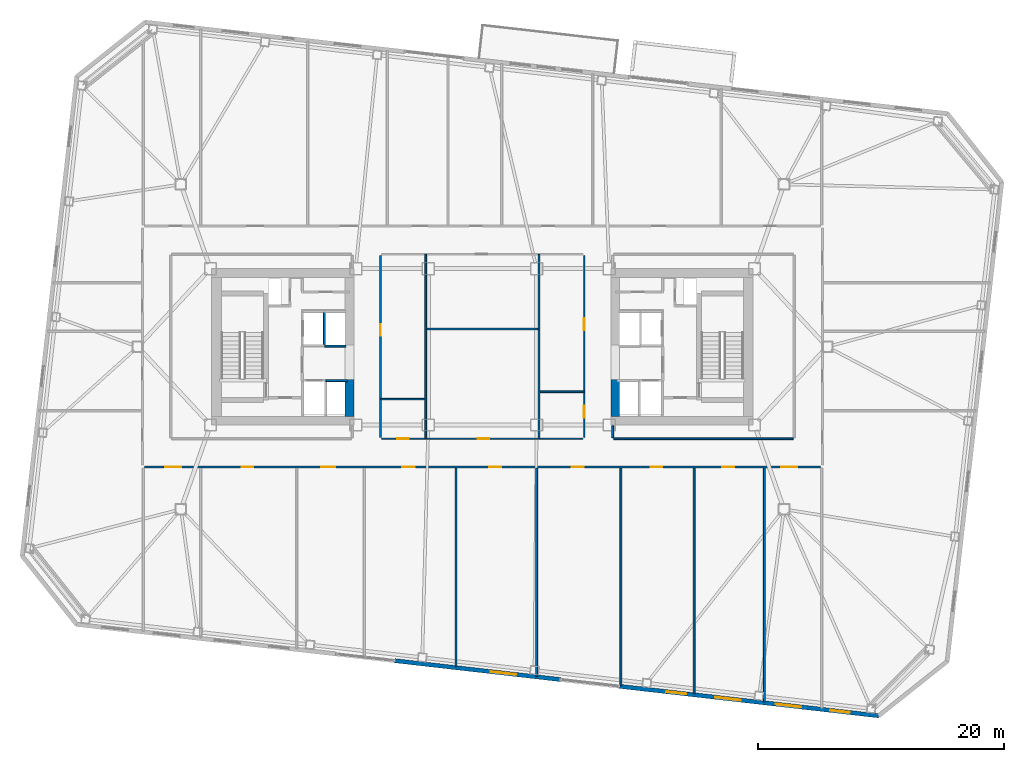
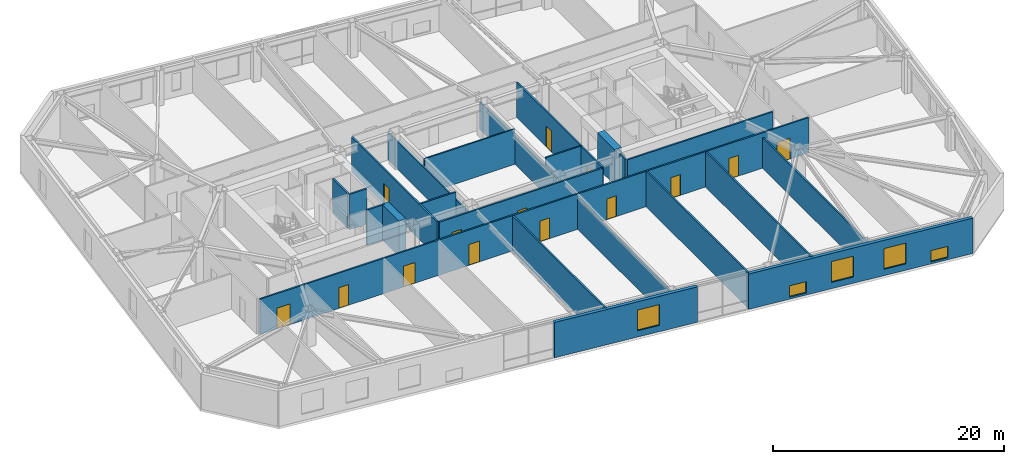
# One storey, part 12 of 21: 23 walls, 14 doors, 5 windows, 19 openings.
"""IFC4 building model written with IfcOpenShell, lengths in metres."""

from ifc_helpers import new_model, si_unit, direction, frame, frame_2d, origin, place, context, subcontext, project, spatial, rectangle, extrude, material, layer, layer_set, type_object, element, fill, save


model = new_model("IFC4")

# Units and contexts
model_context = context("Model", 3, precision=1e-05, world=origin(), true_north=direction((0.0, 1.0)))
body_context = subcontext(model_context, "Body", "Model", "MODEL_VIEW")
ifc_project = project(units=[si_unit("LENGTHUNIT", "METRE"), si_unit("AREAUNIT", "SQUARE_METRE"), si_unit("VOLUMEUNIT", "CUBIC_METRE"), si_unit("PLANEANGLEUNIT", "RADIAN"), si_unit("MASSUNIT", "GRAM", prefix="KILO")], contexts=[model_context])

# Site, building, storey
site_placement = place(None, origin())
site = spatial("IfcSite", under=ifc_project, at=site_placement, CompositionType="ELEMENT")
building_placement = place(site_placement, origin())
building = spatial("IfcBuilding", under=site, at=building_placement, Name="Tavrogorsk Clinical Tower", CompositionType="ELEMENT")
storey_placement = place(building_placement, frame((0.0, 0.0, 125.39990234375)))
storey = spatial("IfcBuildingStorey", under=building, at=storey_placement, Name="L28", CompositionType="ELEMENT", Elevation=125.39990234375)

# Walls
ifc_material_1 = material(Name="Lightweight concrete blockwork B15", Category="masonry")
ifc_layer_1 = layer(ifc_material_1, 0.139892578125)
ifc_layer_set_1 = layer_set([ifc_layer_1], Name="Lightweight concrete blockwork B15")
wall_type_1 = type_object("IfcWallType", Name="PartitionWall_140", PredefinedType="PARTITIONING", material=ifc_layer_set_1)
for number, where, z_axis, x_axis, name in (
    (1, (-4.60009765625, -7.465087890625, 0.0), (0.0, 0.0, 1.0), (0.0, 1.0, 0.0), "L28 Central Spine Partition 1"),
    (2, (4.60009765625, -7.465087890625, 0.0), (0.0, 0.0, 1.0), (0.0, 1.0, 0.0), "L28 Central Spine Partition 2"),
):
    element("IfcWall", number, at=place(storey_placement, frame(where, z_axis=z_axis, x_axis=x_axis)), inside=storey, type_object=wall_type_1, Name=name, PredefinedType="PARTITIONING", context=body_context, shape_type="SweptSolid", body=[
        extrude(rectangle(XDim=14.97998046875, YDim=0.139892578125, at=frame_2d((7.489990234375, 0.0))), origin(), (0.0, 0.0, 1.0), 2.93505859375),
    ])
wall_1_placement = place(storey_placement, frame((-4.52490234375, 1.449951171875, 0.0), z_axis=(0.0, 0.0, 1.0), x_axis=(1.0, 0.0, 0.0)))
element("IfcWall", 3, at=wall_1_placement, inside=storey, type_object=wall_type_1, Name="L28 Central Spine Partition 3", PredefinedType="PARTITIONING", context=body_context, shape_type="SweptSolid", body=[
    extrude(rectangle(XDim=9.0498046875, YDim=0.139892578125, at=frame_2d((4.52490234375, 0.0))), origin(), (0.0, 0.0, 1.0), 3.739990234375),
])
for number, where, z_axis, x_axis, name in (
    (4, (-8.264892578125, -4.25, 0.0), (0.0, 0.0, 1.0), (1.0, 0.0, 0.0), "L28 Central Spine Partition 4"),
    (5, (4.675048828125, -3.64990234375, 0.0), (0.0, 0.0, 1.0), (1.0, 0.0, 0.0), "L28 Central Spine Partition 5"),
):
    element("IfcWall", number, at=place(storey_placement, frame(where, z_axis=z_axis, x_axis=x_axis)), inside=storey, type_object=wall_type_1, Name=name, PredefinedType="PARTITIONING", context=body_context, shape_type="SweptSolid", body=[
        extrude(rectangle(XDim=3.58984375, YDim=0.139892578125, at=frame_2d((1.794921875, 0.0))), origin(), (0.0, 0.0, 1.0), 3.739990234375),
    ])

# Wall, openings, doors
ifc_material_2 = material(Name="Lightweight concrete blockwork B15", Category="masonry")
ifc_layer_2 = layer(ifc_material_2, 0.159912109375)
ifc_layer_set_2 = layer_set([ifc_layer_2], Name="Lightweight concrete blockwork B15")
wall_type_2 = type_object("IfcWallType", Name="PartitionWall_160", PredefinedType="PARTITIONING", material=ifc_layer_set_2)
wall_2_placement = place(storey_placement, frame((27.465087890625, -9.780029296875, 0.0), z_axis=(0.0, 0.0, 1.0), x_axis=(-1.0, 0.0, 0.0)))
wall_2 = element("IfcWall", 6, at=wall_2_placement, inside=storey, type_object=wall_type_2, Name="L28 Corridor Partition 04", PredefinedType="PARTITIONING", context=body_context, shape_type="SweptSolid", body=[
    extrude(rectangle(XDim=54.93017578125, YDim=0.159912109375, at=frame_2d((27.465087890625, 0.0))), origin(), (0.0, 0.0, 1.0), 3.739990234375),
])
opening_1_placement = place(wall_2_placement, frame((51.930908203125, 0.0, 0.0)))
opening_1 = element("IfcOpeningElement", 7, at=opening_1_placement, cuts=wall_2, Name="Opening ID-01", PredefinedType="OPENING", context=body_context, shape_type="SweptSolid", body=[
    extrude(rectangle(XDim=1.300048828125, YDim=2.199951171875, at=frame_2d((0.64990234375, 1.10009765625))), frame((0.0, 0.08984375, 0.0), z_axis=(0.0, -1.0, 0.0), x_axis=(1.0, 0.0, 0.0)), (0.0, 0.0, 1.0), 0.179931640625),
])
opening_2_placement = place(wall_2_placement, frame((46.070068359375, 0.0, 0.0)))
opening_2 = element("IfcOpeningElement", 8, at=opening_2_placement, cuts=wall_2, Name="Opening ID-02", PredefinedType="OPENING", context=body_context, shape_type="SweptSolid", body=[
    extrude(rectangle(XDim=0.949951171875, YDim=2.199951171875, at=frame_2d((0.47509765625, 1.10009765625))), frame((0.0, 0.08984375, 0.0), z_axis=(0.0, -1.0, 0.0), x_axis=(1.0, 0.0, 0.0)), (0.0, 0.0, 1.0), 0.179931640625),
])
opening_3_placement = place(wall_2_placement, frame((39.419921875, 0.0, 0.0)))
opening_3 = element("IfcOpeningElement", 9, at=opening_3_placement, cuts=wall_2, Name="Opening ID-06", PredefinedType="OPENING", context=body_context, shape_type="SweptSolid", body=[
    extrude(rectangle(XDim=1.14990234375, YDim=2.199951171875, at=frame_2d((0.574951171875, 1.10009765625))), frame((0.0, 0.08984375, 0.0), z_axis=(0.0, -1.0, 0.0), x_axis=(1.0, 0.0, 0.0)), (0.0, 0.0, 1.0), 0.179931640625),
])
opening_4_placement = place(wall_2_placement, frame((32.949951171875, 0.0, 0.0)))
opening_4 = element("IfcOpeningElement", 10, at=opening_4_placement, cuts=wall_2, Name="Opening ID-04", PredefinedType="OPENING", context=body_context, shape_type="SweptSolid", body=[
    extrude(rectangle(XDim=1.050048828125, YDim=2.199951171875, at=frame_2d((0.52490234375, 1.10009765625))), frame((0.0, 0.08984375, 0.0), z_axis=(0.0, -1.0, 0.0), x_axis=(1.0, 0.0, 0.0)), (0.0, 0.0, 1.0), 0.179931640625),
])
opening_5_placement = place(wall_2_placement, frame((25.949951171875, 0.0, 0.0)))
opening_5 = element("IfcOpeningElement", 11, at=opening_5_placement, cuts=wall_2, Name="Opening ID-02", PredefinedType="OPENING", context=body_context, shape_type="SweptSolid", body=[
    extrude(rectangle(XDim=0.949951171875, YDim=2.199951171875, at=frame_2d((0.47509765625, 1.10009765625))), frame((0.0, 0.08984375, 0.0), z_axis=(0.0, -1.0, 0.0), x_axis=(1.0, 0.0, 0.0)), (0.0, 0.0, 1.0), 0.179931640625),
])
opening_6_placement = place(wall_2_placement, frame((19.25, 0.0, 0.0)))
opening_6 = element("IfcOpeningElement", 12, at=opening_6_placement, cuts=wall_2, Name="Opening ID-02", PredefinedType="OPENING", context=body_context, shape_type="SweptSolid", body=[
    extrude(rectangle(XDim=0.949951171875, YDim=2.199951171875, at=frame_2d((0.47509765625, 1.10009765625))), frame((0.0, 0.08984375, 0.0), z_axis=(0.0, -1.0, 0.0), x_axis=(1.0, 0.0, 0.0)), (0.0, 0.0, 1.0), 0.179931640625),
])
opening_7_placement = place(wall_2_placement, frame((12.85009765625, 0.0, 0.0)))
opening_7 = element("IfcOpeningElement", 13, at=opening_7_placement, cuts=wall_2, Name="Opening ID-02", PredefinedType="OPENING", context=body_context, shape_type="SweptSolid", body=[
    extrude(rectangle(XDim=0.949951171875, YDim=2.199951171875, at=frame_2d((0.47509765625, 1.10009765625))), frame((0.0, 0.08984375, 0.0), z_axis=(0.0, -1.0, 0.0), x_axis=(1.0, 0.0, 0.0)), (0.0, 0.0, 1.0), 0.179931640625),
])
opening_8_placement = place(wall_2_placement, frame((7.02490234375, 0.0, 0.0)))
opening_8 = element("IfcOpeningElement", 14, at=opening_8_placement, cuts=wall_2, Name="Opening ID-02", PredefinedType="OPENING", context=body_context, shape_type="SweptSolid", body=[
    extrude(rectangle(XDim=0.949951171875, YDim=2.199951171875, at=frame_2d((0.47509765625, 1.10009765625))), frame((0.0, 0.08984375, 0.0), z_axis=(0.0, -1.0, 0.0), x_axis=(1.0, 0.0, 0.0)), (0.0, 0.0, 1.0), 0.179931640625),
])
opening_9_placement = place(wall_2_placement, frame((1.869140625, 0.0, 0.0)))
opening_9 = element("IfcOpeningElement", 15, at=opening_9_placement, cuts=wall_2, Name="Opening ID-01", PredefinedType="OPENING", context=body_context, shape_type="SweptSolid", body=[
    extrude(rectangle(XDim=1.300048828125, YDim=2.199951171875, at=frame_2d((0.64990234375, 1.10009765625))), frame((0.0, 0.08984375, 0.0), z_axis=(0.0, -1.0, 0.0), x_axis=(1.0, 0.0, 0.0)), (0.0, 0.0, 1.0), 0.179931640625),
])
ifc_material_3 = material(Name="Antibacterial HPL consultation door on aluminium frame", Category="aluminium")
door_type_1 = type_object("IfcDoorType", Name="ConsultDoor_ID04_1050", OperationType="NOTDEFINED", PredefinedType="DOOR", material=ifc_material_3)
door_1_placement = place(opening_4_placement, origin())
door_1 = element("IfcDoor", 16, at=door_1_placement, inside=storey, type_object=door_type_1, Name="L28 South Outpatient Procedure Suite 03A Door", OperationType="SINGLE_SWING_RIGHT", OverallHeight=2.199951171875, OverallWidth=1.050048828125, PredefinedType="DOOR", context=body_context, shape_type="SweptSolid", body=[
    extrude(rectangle(XDim=1.050048828125, YDim=2.199951171875, at=frame_2d((0.52490234375, 1.10009765625))), frame((0.0, 0.02490234375, 0.0), z_axis=(0.0, -1.0, 0.0), x_axis=(1.0, 0.0, 0.0)), (0.0, 0.0, 1.0), 0.050048828125),
])
fill(opening_4, door_1)
ifc_material_4 = material(Name="Laminated timber leaf on aluminium frame", Category="wood")
door_type_2 = type_object("IfcDoorType", Name="InteriorDoor_ID02_950", OperationType="NOTDEFINED", PredefinedType="DOOR", material=ifc_material_4)
door_2_placement = place(opening_2_placement, origin())
door_2 = element("IfcDoor", 17, at=door_2_placement, inside=storey, type_object=door_type_2, Name="L28 South Clean Medication & Prep Room 02A Door", OperationType="SINGLE_SWING_RIGHT", OverallHeight=2.199951171875, OverallWidth=0.949951171875, PredefinedType="DOOR", context=body_context, shape_type="SweptSolid", body=[
    extrude(rectangle(XDim=0.949951171875, YDim=2.199951171875, at=frame_2d((0.47509765625, 1.10009765625))), frame((0.0, 0.02490234375, 0.0), z_axis=(0.0, -1.0, 0.0), x_axis=(1.0, 0.0, 0.0)), (0.0, 0.0, 1.0), 0.050048828125),
])
fill(opening_2, door_2)
door_3_placement = place(opening_5_placement, origin())
door_3 = element("IfcDoor", 18, at=door_3_placement, inside=storey, type_object=door_type_2, Name="L28 South Clinical Case Seminar Room 03B Door", OperationType="SINGLE_SWING_LEFT", OverallHeight=2.199951171875, OverallWidth=0.949951171875, PredefinedType="DOOR", context=body_context, shape_type="SweptSolid", body=[
    extrude(rectangle(XDim=0.949951171875, YDim=2.199951171875, at=frame_2d((0.47509765625, 1.10009765625))), frame((0.0, 0.02490234375, 0.0), z_axis=(0.0, -1.0, 0.0), x_axis=(1.0, 0.0, 0.0)), (0.0, 0.0, 1.0), 0.050048828125),
])
fill(opening_5, door_3)
door_4_placement = place(opening_6_placement, origin())
door_4 = element("IfcDoor", 19, at=door_4_placement, inside=storey, type_object=door_type_2, Name="L28 South Cardiology Diagnostics Room 04A Door", OperationType="SINGLE_SWING_RIGHT", OverallHeight=2.199951171875, OverallWidth=0.949951171875, PredefinedType="DOOR", context=body_context, shape_type="SweptSolid", body=[
    extrude(rectangle(XDim=0.949951171875, YDim=2.199951171875, at=frame_2d((0.47509765625, 1.10009765625))), frame((0.0, 0.02490234375, 0.0), z_axis=(0.0, -1.0, 0.0), x_axis=(1.0, 0.0, 0.0)), (0.0, 0.0, 1.0), 0.050048828125),
])
fill(opening_6, door_4)
door_5_placement = place(opening_7_placement, origin())
door_5 = element("IfcDoor", 20, at=door_5_placement, inside=storey, type_object=door_type_2, Name="L28 South Staff Rest & Nourishment Lounge 04B Door", OperationType="SINGLE_SWING_LEFT", OverallHeight=2.199951171875, OverallWidth=0.949951171875, PredefinedType="DOOR", context=body_context, shape_type="SweptSolid", body=[
    extrude(rectangle(XDim=0.949951171875, YDim=2.199951171875, at=frame_2d((0.47509765625, 1.10009765625))), frame((0.0, 0.02490234375, 0.0), z_axis=(0.0, -1.0, 0.0), x_axis=(1.0, 0.0, 0.0)), (0.0, 0.0, 1.0), 0.050048828125),
])
fill(opening_7, door_5)
door_6_placement = place(opening_8_placement, origin())
door_6 = element("IfcDoor", 21, at=door_6_placement, inside=storey, type_object=door_type_2, Name="L28 South Attending Physician Office 05 Door", OperationType="SINGLE_SWING_RIGHT", OverallHeight=2.199951171875, OverallWidth=0.949951171875, PredefinedType="DOOR", context=body_context, shape_type="SweptSolid", body=[
    extrude(rectangle(XDim=0.949951171875, YDim=2.199951171875, at=frame_2d((0.47509765625, 1.10009765625))), frame((0.0, 0.02490234375, 0.0), z_axis=(0.0, -1.0, 0.0), x_axis=(1.0, 0.0, 0.0)), (0.0, 0.0, 1.0), 0.050048828125),
])
fill(opening_8, door_6)
ifc_material_5 = material(Name="Antibacterial HPL procedure door on aluminium frame", Category="aluminium")
door_type_3 = type_object("IfcDoorType", Name="LabDoor_ID06_1150", OperationType="NOTDEFINED", PredefinedType="DOOR", material=ifc_material_5)
door_7_placement = place(opening_3_placement, origin())
door_7 = element("IfcDoor", 22, at=door_7_placement, inside=storey, type_object=door_type_3, Name="L28 South Soiled Utility & Sluice Room 02B Door", OperationType="SINGLE_SWING_LEFT", OverallHeight=2.199951171875, OverallWidth=1.14990234375, PredefinedType="DOOR", context=body_context, shape_type="SweptSolid", body=[
    extrude(rectangle(XDim=1.14990234375, YDim=2.199951171875, at=frame_2d((0.574951171875, 1.10009765625))), frame((0.0, 0.02490234375, 0.0), z_axis=(0.0, -1.0, 0.0), x_axis=(1.0, 0.0, 0.0)), (0.0, 0.0, 1.0), 0.050048828125),
])
fill(opening_3, door_7)
ifc_material_6 = material(Name="Antibacterial HPL medical leaf on aluminium frame", Category="aluminium")
door_type_4 = type_object("IfcDoorType", Name="WardBedDoor_ID01_1300", OperationType="NOTDEFINED", PredefinedType="DOOR", material=ifc_material_6)
door_8_placement = place(opening_1_placement, origin())
door_8 = element("IfcDoor", 23, at=door_8_placement, inside=storey, type_object=door_type_4, Name="L28 South Acute Medical Ward 01 Door", OperationType="SINGLE_SWING_LEFT", OverallHeight=2.199951171875, OverallWidth=1.300048828125, PredefinedType="DOOR", context=body_context, shape_type="SweptSolid", body=[
    extrude(rectangle(XDim=1.300048828125, YDim=2.199951171875, at=frame_2d((0.64990234375, 1.10009765625))), frame((0.0, 0.02490234375, 0.0), z_axis=(0.0, -1.0, 0.0), x_axis=(1.0, 0.0, 0.0)), (0.0, 0.0, 1.0), 0.050048828125),
])
fill(opening_1, door_8)
door_9_placement = place(opening_9_placement, origin())
door_9 = element("IfcDoor", 24, at=door_9_placement, inside=storey, type_object=door_type_4, Name="L28 South Acute Medical Ward 06 Door", OperationType="SINGLE_SWING_LEFT", OverallHeight=2.199951171875, OverallWidth=1.300048828125, PredefinedType="DOOR", context=body_context, shape_type="SweptSolid", body=[
    extrude(rectangle(XDim=1.300048828125, YDim=2.199951171875, at=frame_2d((0.64990234375, 1.10009765625))), frame((0.0, 0.02490234375, 0.0), z_axis=(0.0, -1.0, 0.0), x_axis=(1.0, 0.0, 0.0)), (0.0, 0.0, 1.0), 0.050048828125),
])
fill(opening_9, door_9)

# Walls
wall_3_placement = place(storey_placement, frame((10.580078125, -6.419921875, 0.0), z_axis=(0.0, 0.0, 1.0), x_axis=(0.0, -1.0, 0.0)))
element("IfcWall", 25, at=wall_3_placement, inside=storey, type_object=wall_type_2, Name="L28 Corridor Partition 07", PredefinedType="PARTITIONING", context=body_context, shape_type="SweptSolid", body=[
    extrude(rectangle(XDim=0.965087890625, YDim=0.159912109375, at=frame_2d((0.482421875, 0.0))), origin(), (0.0, 0.0, 1.0), 3.739990234375),
])
wall_4_placement = place(storey_placement, frame((10.6650390625, -7.469970703125, 0.0), z_axis=(0.0, 0.0, 1.0), x_axis=(1.0, 0.0, 0.0)))
element("IfcWall", 26, at=wall_4_placement, inside=storey, type_object=wall_type_2, Name="L28 Corridor Partition 08", PredefinedType="PARTITIONING", context=body_context, shape_type="SweptSolid", body=[
    extrude(rectangle(XDim=14.570068359375, YDim=0.159912109375, at=frame_2d((7.28515625, 0.0))), origin(), (0.0, 0.0, 1.0), 3.739990234375),
])

# Wall, openings, doors
wall_5_placement = place(storey_placement, frame((8.27001953125, -7.385009765625, 0.0), z_axis=(0.0, 0.0, 1.0), x_axis=(0.0, 1.0, 0.0)))
wall_5 = element("IfcWall", 27, at=wall_5_placement, inside=storey, type_object=wall_type_2, Name="L28 Corridor Partition 10", PredefinedType="PARTITIONING", context=body_context, shape_type="SweptSolid", body=[
    extrude(rectangle(XDim=14.820068359375, YDim=0.159912109375, at=frame_2d((7.41015625, 0.0))), origin(), (0.0, 0.0, 1.0), 3.739990234375),
])
opening_10_placement = place(wall_5_placement, frame((1.629150390625, 0.0, 0.0)))
opening_10 = element("IfcOpeningElement", 28, at=opening_10_placement, cuts=wall_5, Name="Opening ID-02", PredefinedType="OPENING", context=body_context, shape_type="SweptSolid", body=[
    extrude(rectangle(XDim=0.949951171875, YDim=2.199951171875, at=frame_2d((0.47509765625, 1.10009765625))), frame((0.0, 0.08984375, 0.0), z_axis=(0.0, -1.0, 0.0), x_axis=(1.0, 0.0, 0.0)), (0.0, 0.0, 1.0), 0.179931640625),
])
opening_11_placement = place(wall_5_placement, frame((8.73583984375, 0.0, 0.0)))
opening_11 = element("IfcOpeningElement", 29, at=opening_11_placement, cuts=wall_5, Name="Opening ID-02", PredefinedType="OPENING", context=body_context, shape_type="SweptSolid", body=[
    extrude(rectangle(XDim=0.949951171875, YDim=2.199951171875, at=frame_2d((0.47509765625, 1.10009765625))), frame((0.0, 0.08984375, 0.0), z_axis=(0.0, -1.0, 0.0), x_axis=(1.0, 0.0, 0.0)), (0.0, 0.0, 1.0), 0.179931640625),
])
door_10_placement = place(opening_10_placement, origin())
door_10 = element("IfcDoor", 30, at=door_10_placement, inside=storey, type_object=door_type_2, Name="L28 Staff & Visitor Accessible WC Door", OperationType="SINGLE_SWING_RIGHT", OverallHeight=2.199951171875, OverallWidth=0.949951171875, PredefinedType="DOOR", context=body_context, shape_type="SweptSolid", body=[
    extrude(rectangle(XDim=0.949951171875, YDim=2.199951171875, at=frame_2d((0.47509765625, 1.10009765625))), frame((0.0, 0.02490234375, 0.0), z_axis=(0.0, -1.0, 0.0), x_axis=(1.0, 0.0, 0.0)), (0.0, 0.0, 1.0), 0.050048828125),
])
fill(opening_10, door_10)
door_11_placement = place(opening_11_placement, origin())
door_11 = element("IfcDoor", 31, at=door_11_placement, inside=storey, type_object=door_type_2, Name="L28 Attending Physician Office Door", OperationType="SINGLE_SWING_LEFT", OverallHeight=2.199951171875, OverallWidth=0.949951171875, PredefinedType="DOOR", context=body_context, shape_type="SweptSolid", body=[
    extrude(rectangle(XDim=0.949951171875, YDim=2.199951171875, at=frame_2d((0.47509765625, 1.10009765625))), frame((0.0, 0.02490234375, 0.0), z_axis=(0.0, -1.0, 0.0), x_axis=(1.0, 0.0, 0.0)), (0.0, 0.0, 1.0), 0.050048828125),
])
fill(opening_11, door_11)

# Wall, opening, door
wall_6_placement = place(storey_placement, frame((-8.27001953125, 7.43505859375, 0.0), z_axis=(0.0, 0.0, 1.0), x_axis=(0.0, -1.0, 0.0)))
wall_6 = element("IfcWall", 32, at=wall_6_placement, inside=storey, type_object=wall_type_2, Name="L28 Corridor Partition 12", PredefinedType="PARTITIONING", context=body_context, shape_type="SweptSolid", body=[
    extrude(rectangle(XDim=14.820068359375, YDim=0.159912109375, at=frame_2d((7.41015625, 0.0))), origin(), (0.0, 0.0, 1.0), 3.739990234375),
])
opening_12_placement = place(wall_6_placement, frame((5.60400390625, 0.0, 0.0)))
opening_12 = element("IfcOpeningElement", 33, at=opening_12_placement, cuts=wall_6, Name="Opening ID-02", PredefinedType="OPENING", context=body_context, shape_type="SweptSolid", body=[
    extrude(rectangle(XDim=0.949951171875, YDim=2.199951171875, at=frame_2d((0.47509765625, 1.10009765625))), frame((0.0, 0.08984375, 0.0), z_axis=(0.0, -1.0, 0.0), x_axis=(1.0, 0.0, 0.0)), (0.0, 0.0, 1.0), 0.179931640625),
])
door_12_placement = place(opening_12_placement, origin())
door_12 = element("IfcDoor", 34, at=door_12_placement, inside=storey, type_object=door_type_2, Name="L28 Ward Nourishment Pantry Door", OperationType="SINGLE_SWING_LEFT", OverallHeight=2.199951171875, OverallWidth=0.949951171875, PredefinedType="DOOR", context=body_context, shape_type="SweptSolid", body=[
    extrude(rectangle(XDim=0.949951171875, YDim=2.199951171875, at=frame_2d((0.47509765625, 1.10009765625))), frame((0.0, 0.02490234375, 0.0), z_axis=(0.0, -1.0, 0.0), x_axis=(1.0, 0.0, 0.0)), (0.0, 0.0, 1.0), 0.050048828125),
])
fill(opening_12, door_12)

# Wall, openings, doors
wall_7_placement = place(storey_placement, frame((-8.18505859375, -7.469970703125, 0.0), z_axis=(0.0, 0.0, 1.0), x_axis=(1.0, 0.0, 0.0)))
wall_7 = element("IfcWall", 35, at=wall_7_placement, inside=storey, type_object=wall_type_2, Name="L28 Corridor Partition 13", PredefinedType="PARTITIONING", context=body_context, shape_type="SweptSolid", body=[
    extrude(rectangle(XDim=16.3701171875, YDim=0.159912109375, at=frame_2d((8.18505859375, 0.0))), origin(), (0.0, 0.0, 1.0), 3.739990234375),
])
opening_13_placement = place(wall_7_placement, frame((1.254150390625, 0.0, 0.0)))
opening_13 = element("IfcOpeningElement", 36, at=opening_13_placement, cuts=wall_7, Name="Opening ID-02", PredefinedType="OPENING", context=body_context, shape_type="SweptSolid", body=[
    extrude(rectangle(XDim=0.949951171875, YDim=2.199951171875, at=frame_2d((0.47509765625, 1.10009765625))), frame((0.0, 0.08984375, 0.0), z_axis=(0.0, -1.0, 0.0), x_axis=(1.0, 0.0, 0.0)), (0.0, 0.0, 1.0), 0.179931640625),
])
opening_14_placement = place(wall_7_placement, frame((7.794921875, 0.0, 0.0)))
opening_14 = element("IfcOpeningElement", 37, at=opening_14_placement, cuts=wall_7, Name="Opening ID-02", PredefinedType="OPENING", context=body_context, shape_type="SweptSolid", body=[
    extrude(rectangle(XDim=0.949951171875, YDim=2.199951171875, at=frame_2d((0.47509765625, 1.10009765625))), frame((0.0, 0.08984375, 0.0), z_axis=(0.0, -1.0, 0.0), x_axis=(1.0, 0.0, 0.0)), (0.0, 0.0, 1.0), 0.179931640625),
])
door_13_placement = place(opening_13_placement, origin())
door_13 = element("IfcDoor", 38, at=door_13_placement, inside=storey, type_object=door_type_2, Name="L28 Accessible Patient Lavatory Door", OperationType="SINGLE_SWING_RIGHT", OverallHeight=2.199951171875, OverallWidth=0.949951171875, PredefinedType="DOOR", context=body_context, shape_type="SweptSolid", body=[
    extrude(rectangle(XDim=0.949951171875, YDim=2.199951171875, at=frame_2d((0.47509765625, 1.10009765625))), frame((0.0, 0.02490234375, 0.0), z_axis=(0.0, -1.0, 0.0), x_axis=(1.0, 0.0, 0.0)), (0.0, 0.0, 1.0), 0.050048828125),
])
fill(opening_13, door_13)
door_14_placement = place(opening_14_placement, origin())
door_14 = element("IfcDoor", 39, at=door_14_placement, inside=storey, type_object=door_type_2, Name="L28 Multidisciplinary Conference Room Door", OperationType="SINGLE_SWING_RIGHT", OverallHeight=2.199951171875, OverallWidth=0.949951171875, PredefinedType="DOOR", context=body_context, shape_type="SweptSolid", body=[
    extrude(rectangle(XDim=0.949951171875, YDim=2.199951171875, at=frame_2d((0.47509765625, 1.10009765625))), frame((0.0, 0.02490234375, 0.0), z_axis=(0.0, -1.0, 0.0), x_axis=(1.0, 0.0, 0.0)), (0.0, 0.0, 1.0), 0.050048828125),
])
fill(opening_14, door_14)

# Walls
wall_8_placement = place(storey_placement, frame((4.39990234375, -26.746826171875, 0.0), z_axis=(0.0, 0.0, 1.0), x_axis=(0.0, 1.0, 0.0)))
element("IfcWall", 40, at=wall_8_placement, inside=storey, type_object=wall_type_2, Name="L28 South Room Partition 3", PredefinedType="PARTITIONING", context=body_context, shape_type="SweptSolid", body=[
    extrude(rectangle(XDim=16.8818359375, YDim=0.159912109375, at=frame_2d((8.44091796875, 0.0))), origin(), (0.0, 0.0, 1.0), 3.235107421875),
])
wall_9_placement = place(storey_placement, frame((17.199951171875, -28.205078125, 0.0), z_axis=(0.0, 0.0, 1.0), x_axis=(0.0, 1.0, 0.0)))
element("IfcWall", 41, at=wall_9_placement, inside=storey, type_object=wall_type_2, Name="L28 South Room Partition 4", PredefinedType="PARTITIONING", context=body_context, shape_type="SweptSolid", body=[
    extrude(rectangle(XDim=18.340087890625, YDim=0.159912109375, at=frame_2d((9.169921875, 0.0))), origin(), (0.0, 0.0, 1.0), 3.739990234375),
])
wall_10_placement = place(storey_placement, frame((22.89990234375, -28.8544921875, 0.0), z_axis=(0.0, 0.0, 1.0), x_axis=(0.0, 1.0, 0.0)))
element("IfcWall", 42, at=wall_10_placement, inside=storey, type_object=wall_type_2, Name="L28 South Room Partition 5", PredefinedType="PARTITIONING", context=body_context, shape_type="SweptSolid", body=[
    extrude(rectangle(XDim=18.989501953125, YDim=0.159912109375, at=frame_2d((9.49462890625, 0.0))), origin(), (0.0, 0.0, 1.0), 3.235107421875),
])
wall_11_placement = place(storey_placement, frame((-2.14990234375, -26.00048828125, 0.0), z_axis=(0.0, 0.0, 1.0), x_axis=(0.0, 1.0, 0.0)))
element("IfcWall", 43, at=wall_11_placement, inside=storey, type_object=wall_type_2, Name="L28 South Sub-Partition 3", PredefinedType="PARTITIONING", context=body_context, shape_type="SweptSolid", body=[
    extrude(rectangle(XDim=16.135498046875, YDim=0.159912109375, at=frame_2d((8.06787109375, 0.0))), origin(), (0.0, 0.0, 1.0), 3.739990234375),
])
wall_12_placement = place(storey_placement, frame((11.25, -27.527099609375, 0.0), z_axis=(0.0, 0.0, 1.0), x_axis=(0.0, 1.0, 0.0)))
element("IfcWall", 44, at=wall_12_placement, inside=storey, type_object=wall_type_2, Name="L28 South Sub-Partition 4", PredefinedType="PARTITIONING", context=body_context, shape_type="SweptSolid", body=[
    extrude(rectangle(XDim=17.662109375, YDim=0.159912109375, at=frame_2d((8.8310546875, 0.0))), origin(), (0.0, 0.0, 1.0), 3.739990234375),
])

# Wall, opening, window
ifc_material_7 = material(Name="Precast concrete B45 with limestone cladding", Category="masonry")
ifc_layer_3 = layer(ifc_material_7, 0.340087890625)
ifc_layer_set_3 = layer_set([ifc_layer_3], Name="Precast concrete B45 with limestone cladding")
wall_type_3 = type_object("IfcWallType", Name="PrecastLimestoneWall_340", PredefinedType="STANDARD", material=ifc_layer_set_3)
wall_13_placement = place(storey_placement, frame((-7.121826171875, -25.50439453125, 0.0), z_axis=(0.0, 0.0, 1.0), x_axis=(0.993571685551, -0.11320470693, 0.0)))
wall_13 = element("IfcWall", 45, at=wall_13_placement, inside=storey, type_object=wall_type_3, Name="L28 S Limestone Facade Wall 2", PredefinedType="STANDARD", context=body_context, shape_type="SweptSolid", body=[
    extrude(rectangle(XDim=13.554443359375, YDim=0.340087890625, at=frame_2d((6.77734375, 0.0))), origin(), (0.0, 0.0, 1.0), 3.739990234375),
])
opening_15_placement = place(wall_13_placement, frame((7.837890625, 0.0, 0.669921875)))
opening_15 = element("IfcOpeningElement", 46, at=opening_15_placement, cuts=wall_13, Name="Opening WN-03", PredefinedType="OPENING", context=body_context, shape_type="SweptSolid", body=[
    extrude(rectangle(XDim=2.10009765625, YDim=2.199951171875, at=frame_2d((1.050048828125, 1.10009765625))), frame((0.0, 0.179931640625, 0.0), z_axis=(0.0, -1.0, 0.0), x_axis=(1.0, 0.0, 0.0)), (0.0, 0.0, 1.0), 0.360107421875),
])
ifc_material_8 = material(Name="Thermally broken aluminium frame and triple IGU", Category="aluminium")
window_type_1 = type_object("IfcWindowType", Name="PatientTwinWin_2100x2200", PartitioningType="DOUBLE_PANEL_VERTICAL", PredefinedType="WINDOW", material=ifc_material_8)
window_1_placement = place(opening_15_placement, origin())
window_1 = element("IfcWindow", 47, at=window_1_placement, inside=storey, type_object=window_type_1, Name="L28 S Chicago Window 06", OverallHeight=2.199951171875, OverallWidth=2.10009765625, PartitioningType="SINGLE_PANEL", PredefinedType="WINDOW", context=body_context, shape_type="SweptSolid", body=[
    extrude(rectangle(XDim=2.10009765625, YDim=2.199951171875, at=frame_2d((1.050048828125, 1.10009765625))), frame((0.0, 0.030029296875, 0.0), z_axis=(0.0, -1.0, 0.0), x_axis=(1.0, 0.0, 0.0)), (0.0, 0.0, 1.0), 0.06005859375),
])
fill(opening_15, window_1)

# Wall, openings, windows
wall_14_placement = place(storey_placement, frame((11.114501953125, -27.582275390625, 0.0), z_axis=(0.0, 0.0, 1.0), x_axis=(0.993572655904, -0.113196190044, 0.0)))
wall_14 = element("IfcWall", 48, at=wall_14_placement, inside=storey, type_object=wall_type_3, Name="L28 S Limestone Facade Wall 3", PredefinedType="STANDARD", context=body_context, shape_type="SweptSolid", body=[
    extrude(rectangle(XDim=21.222900390625, YDim=0.340087890625, at=frame_2d((10.611328125, 0.0))), origin(), (0.0, 0.0, 1.0), 3.739990234375),
])
opening_16_placement = place(wall_14_placement, frame((3.866455078125, 0.0, 0.219970703125)))
opening_16 = element("IfcOpeningElement", 49, at=opening_16_placement, cuts=wall_14, Name="Opening WN-09", PredefinedType="OPENING", context=body_context, shape_type="SweptSolid", body=[
    extrude(rectangle(XDim=1.60009765625, YDim=1.199951171875, at=frame_2d((0.800048828125, 0.60009765625))), frame((0.0, 0.179931640625, 0.0), z_axis=(0.0, -1.0, 0.0), x_axis=(1.0, 0.0, 0.0)), (0.0, 0.0, 1.0), 0.360107421875),
])
opening_17_placement = place(wall_14_placement, frame((7.837890625, 0.0, 0.669921875)))
opening_17 = element("IfcOpeningElement", 50, at=opening_17_placement, cuts=wall_14, Name="Opening WN-03", PredefinedType="OPENING", context=body_context, shape_type="SweptSolid", body=[
    extrude(rectangle(XDim=2.10009765625, YDim=2.199951171875, at=frame_2d((1.050048828125, 1.10009765625))), frame((0.0, 0.179931640625, 0.0), z_axis=(0.0, -1.0, 0.0), x_axis=(1.0, 0.0, 0.0)), (0.0, 0.0, 1.0), 0.360107421875),
])
opening_18_placement = place(wall_14_placement, frame((12.793701171875, 0.0, 0.669921875)))
opening_18 = element("IfcOpeningElement", 51, at=opening_18_placement, cuts=wall_14, Name="Opening WN-03", PredefinedType="OPENING", context=body_context, shape_type="SweptSolid", body=[
    extrude(rectangle(XDim=2.10009765625, YDim=2.199951171875, at=frame_2d((1.050048828125, 1.10009765625))), frame((0.0, 0.179931640625, 0.0), z_axis=(0.0, -1.0, 0.0), x_axis=(1.0, 0.0, 0.0)), (0.0, 0.0, 1.0), 0.360107421875),
])
opening_19_placement = place(wall_14_placement, frame((17.264892578125, 0.0, 0.219970703125)))
opening_19 = element("IfcOpeningElement", 52, at=opening_19_placement, cuts=wall_14, Name="Opening WN-09", PredefinedType="OPENING", context=body_context, shape_type="SweptSolid", body=[
    extrude(rectangle(XDim=1.60009765625, YDim=1.199951171875, at=frame_2d((0.800048828125, 0.60009765625))), frame((0.0, 0.179931640625, 0.0), z_axis=(0.0, -1.0, 0.0), x_axis=(1.0, 0.0, 0.0)), (0.0, 0.0, 1.0), 0.360107421875),
])
ifc_material_9 = material(Name="Thermally broken aluminium frame and triple IGU", Category="aluminium")
window_type_2 = type_object("IfcWindowType", Name="LowHeadTransWin_1600x1200", PartitioningType="DOUBLE_PANEL_VERTICAL", PredefinedType="WINDOW", material=ifc_material_9)
window_2_placement = place(opening_16_placement, origin())
window_2 = element("IfcWindow", 53, at=window_2_placement, inside=storey, type_object=window_type_2, Name="L28 S Chicago Window 07", OverallHeight=1.199951171875, OverallWidth=1.60009765625, PartitioningType="SINGLE_PANEL", PredefinedType="WINDOW", context=body_context, shape_type="SweptSolid", body=[
    extrude(rectangle(XDim=1.60009765625, YDim=1.199951171875, at=frame_2d((0.800048828125, 0.60009765625))), frame((0.0, 0.030029296875, 0.0), z_axis=(0.0, -1.0, 0.0), x_axis=(1.0, 0.0, 0.0)), (0.0, 0.0, 1.0), 0.06005859375),
])
fill(opening_16, window_2)
window_3_placement = place(opening_19_placement, origin())
window_3 = element("IfcWindow", 54, at=window_3_placement, inside=storey, type_object=window_type_2, Name="L28 S Chicago Window 10", OverallHeight=1.199951171875, OverallWidth=1.60009765625, PartitioningType="SINGLE_PANEL", PredefinedType="WINDOW", context=body_context, shape_type="SweptSolid", body=[
    extrude(rectangle(XDim=1.60009765625, YDim=1.199951171875, at=frame_2d((0.800048828125, 0.60009765625))), frame((0.0, 0.030029296875, 0.0), z_axis=(0.0, -1.0, 0.0), x_axis=(1.0, 0.0, 0.0)), (0.0, 0.0, 1.0), 0.06005859375),
])
fill(opening_19, window_3)
window_4_placement = place(opening_17_placement, origin())
window_4 = element("IfcWindow", 55, at=window_4_placement, inside=storey, type_object=window_type_1, Name="L28 S Chicago Window 08", OverallHeight=2.199951171875, OverallWidth=2.10009765625, PartitioningType="SINGLE_PANEL", PredefinedType="WINDOW", context=body_context, shape_type="SweptSolid", body=[
    extrude(rectangle(XDim=2.10009765625, YDim=2.199951171875, at=frame_2d((1.050048828125, 1.10009765625))), frame((0.0, 0.030029296875, 0.0), z_axis=(0.0, -1.0, 0.0), x_axis=(1.0, 0.0, 0.0)), (0.0, 0.0, 1.0), 0.06005859375),
])
fill(opening_17, window_4)
window_5_placement = place(opening_18_placement, origin())
window_5 = element("IfcWindow", 56, at=window_5_placement, inside=storey, type_object=window_type_1, Name="L28 S Chicago Window 09", OverallHeight=2.199951171875, OverallWidth=2.10009765625, PartitioningType="SINGLE_PANEL", PredefinedType="WINDOW", context=body_context, shape_type="SweptSolid", body=[
    extrude(rectangle(XDim=2.10009765625, YDim=2.199951171875, at=frame_2d((1.050048828125, 1.10009765625))), frame((0.0, 0.030029296875, 0.0), z_axis=(0.0, -1.0, 0.0), x_axis=(1.0, 0.0, 0.0)), (0.0, 0.0, 1.0), 0.06005859375),
])
fill(opening_18, window_5)

# Walls
ifc_material_10 = material(Name="Lightweight concrete blockwork B25", Category="masonry")
ifc_layer_4 = layer(ifc_material_10, 0.159912109375)
ifc_layer_set_4 = layer_set([ifc_layer_4], Name="Lightweight concrete blockwork B25")
wall_type_4 = type_object("IfcWallType", Name="ShaftWall_160", PredefinedType="PARTITIONING", material=ifc_layer_set_4)
wall_15_placement = place(storey_placement, frame((-12.840087890625, 0.179931640625, 0.0), z_axis=(0.0, 0.0, 1.0), x_axis=(0.0, 1.0, 0.0)))
element("IfcWall", 57, at=wall_15_placement, inside=storey, type_object=wall_type_4, Name="L28 FFL-W Shaft Back Wall", PredefinedType="PARTITIONING", context=body_context, shape_type="SweptSolid", body=[
    extrude(rectangle(XDim=2.6201171875, YDim=0.159912109375, at=frame_2d((1.31005859375, 0.0))), origin(), (0.0, 0.0, 1.0), 3.739990234375),
])
wall_16_placement = place(storey_placement, frame((-12.72998046875, -2.75, 0.0), z_axis=(0.0, 0.0, 1.0), x_axis=(1.0, 0.0, 0.0)))
element("IfcWall", 58, at=wall_16_placement, inside=storey, type_object=wall_type_4, Name="L28 LP-M1 Lift Shaft Portal Wall", PredefinedType="PARTITIONING", context=body_context, shape_type="SweptSolid", body=[
    extrude(rectangle(XDim=1.760009765625, YDim=0.159912109375, at=frame_2d((0.8798828125, 0.0))), origin(), (0.0, 0.0, 1.0), 3.739990234375),
])
wall_17_placement = place(storey_placement, frame((-12.820068359375, 0.06005859375, 0.0), z_axis=(0.0, 0.0, 1.0), x_axis=(1.0, 0.0, 0.0)))
element("IfcWall", 59, at=wall_17_placement, inside=storey, type_object=wall_type_4, Name="L28 LP-H1 High-Zone Lift Portal Wall", PredefinedType="PARTITIONING", context=body_context, shape_type="SweptSolid", body=[
    extrude(rectangle(XDim=1.719970703125, YDim=0.159912109375, at=frame_2d((0.85986328125, 0.0))), origin(), (0.0, 0.0, 1.0), 3.739990234375),
])
ifc_material_11 = material(Name="Concrete B80", Category="concrete")
ifc_layer_5 = layer(ifc_material_11, 0.699951171875)
ifc_layer_set_5 = layer_set([ifc_layer_5], Name="Concrete B80")
wall_type_5 = type_object("IfcWallType", Name="ShearWall_700", PredefinedType="SHEAR", material=ifc_layer_set_5)
for number, where, z_axis, x_axis, name in (
    (60, (-10.800048828125, -5.64990234375, 0.0), (0.0, 0.0, 1.0), (0.0, 1.0, 0.0), "L28 Core West Inner South Pier"),
    (61, (10.800048828125, -5.64990234375, 0.0), (0.0, 0.0, 1.0), (0.0, 1.0, 0.0), "L28 Core East Inner South Pier"),
):
    element("IfcWall", number, at=place(storey_placement, frame(where, z_axis=z_axis, x_axis=x_axis)), inside=storey, type_object=wall_type_5, Name=name, PredefinedType="SHEAR", context=body_context, shape_type="SweptSolid", body=[
        extrude(rectangle(XDim=3.0, YDim=0.699951171875, at=frame_2d((1.5, 0.0))), origin(), (0.0, 0.0, 1.0), 3.739990234375),
    ])

save(model, "model.ifc")
